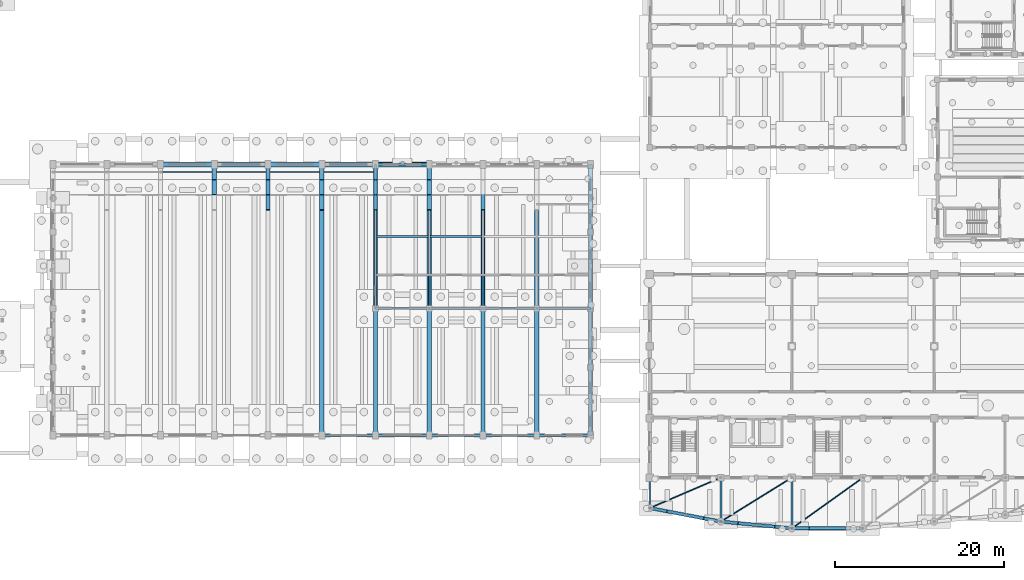
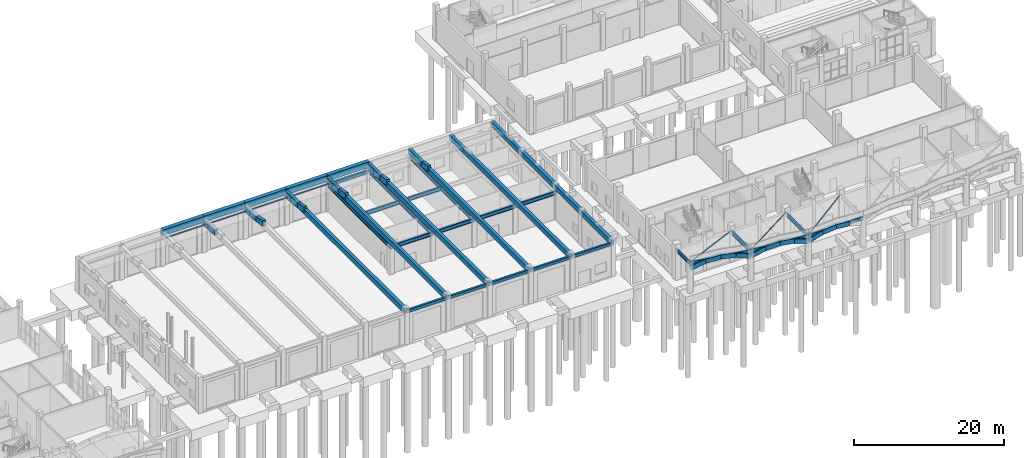
# One storey, part 17 of 60: 33 members, 32 beams.
"""IFC4 building model written with IfcOpenShell, lengths in metres."""

from ifc_helpers import new_model, si_unit, direction, frame, origin, origin_2d, place, context, subcontext, project, spatial, rectangle, hollow_rectangle, hollow_circle, i_section, extrude, material, material_profile, profile_set, type_object, element, save


model = new_model("IFC4")

# Units and contexts
model_context = context("Model", 3, precision=1e-05, world=origin(), true_north=direction((0.0, 1.0)))
body_context = subcontext(model_context, "Body", "Model", "MODEL_VIEW")
ifc_project = project(units=[si_unit("LENGTHUNIT", "METRE"), si_unit("AREAUNIT", "SQUARE_METRE"), si_unit("VOLUMEUNIT", "CUBIC_METRE"), si_unit("PLANEANGLEUNIT", "RADIAN"), si_unit("MASSUNIT", "GRAM", prefix="KILO")], contexts=[model_context])

# Site, building, storey
site_placement = place(None, origin())
site = spatial("IfcSite", under=ifc_project, at=site_placement, CompositionType="ELEMENT")
building_placement = place(site_placement, origin())
building = spatial("IfcBuilding", under=site, at=building_placement, Name="Trellovar Central Fire Station", CompositionType="ELEMENT")
storey_placement = place(building_placement, origin())
storey = spatial("IfcBuildingStorey", under=building, at=storey_placement, Name="L01", CompositionType="ELEMENT", Elevation=0.0)

# Beams
ifc_material_1 = material(Name="Concrete C40/50", Category="concrete")
ifc_material_profile_1 = material_profile(ifc_material_1, rectangle(XDim=0.300048828125, YDim=0.449951171875, at=origin_2d()), Name="RC300X450")
ifc_profile_set_1 = profile_set([ifc_material_profile_1], Name="Concrete C40/50")
beam_type_1 = type_object("IfcBeamType", Name="BM-LN1", PredefinedType="LINTEL", material=ifc_profile_set_1)
beam_1_placement = place(storey_placement, frame((66.75, 14.0, 5.125), z_axis=(1.0, 0.0, 0.0), x_axis=(0.0, 1.0, 0.0)))
element("IfcBeam", 1, at=beam_1_placement, inside=storey, type_object=beam_type_1, Name="South apparatus bay 6 header lintel", PredefinedType="LINTEL", context=body_context, shape_type="SweptSolid", body=[
    extrude(rectangle(XDim=0.300048828125, YDim=0.449951171875, at=origin_2d()), origin(), (0.0, 0.0, 1.0), 6.35009765625),
])
beam_2_placement = place(storey_placement, frame((73.10009765625, 14.0, 5.125), z_axis=(1.0, 0.0, 0.0), x_axis=(0.0, 1.0, 0.0)))
element("IfcBeam", 2, at=beam_2_placement, inside=storey, type_object=beam_type_1, Name="South apparatus bay 7 header lintel", PredefinedType="LINTEL", context=body_context, shape_type="SweptSolid", body=[
    extrude(rectangle(XDim=0.300048828125, YDim=0.449951171875, at=origin_2d()), origin(), (0.0, 0.0, 1.0), 6.349853515625),
])
beam_3_placement = place(storey_placement, frame((79.449951171875, 14.0, 5.125), z_axis=(1.0, 0.0, 0.0), x_axis=(0.0, 1.0, 0.0)))
element("IfcBeam", 3, at=beam_3_placement, inside=storey, type_object=beam_type_1, Name="South apparatus bay 8 header lintel", PredefinedType="LINTEL", context=body_context, shape_type="SweptSolid", body=[
    extrude(rectangle(XDim=0.300048828125, YDim=0.449951171875, at=origin_2d()), origin(), (0.0, 0.0, 1.0), 6.35009765625),
])
beam_4_placement = place(storey_placement, frame((85.800048828125, 14.0, 5.125), z_axis=(1.0, 0.0, 0.0), x_axis=(0.0, 1.0, 0.0)))
element("IfcBeam", 4, at=beam_4_placement, inside=storey, type_object=beam_type_1, Name="South apparatus bay 9 header lintel", PredefinedType="LINTEL", context=body_context, shape_type="SweptSolid", body=[
    extrude(rectangle(XDim=0.300048828125, YDim=0.449951171875, at=origin_2d()), origin(), (0.0, 0.0, 1.0), 6.349853515625),
])
beam_5_placement = place(storey_placement, frame((92.14990234375, 14.0, 5.125), z_axis=(1.0, 0.0, 0.0), x_axis=(0.0, 1.0, 0.0)))
element("IfcBeam", 5, at=beam_5_placement, inside=storey, type_object=beam_type_1, Name="South apparatus bay 10 header lintel", PredefinedType="LINTEL", context=body_context, shape_type="SweptSolid", body=[
    extrude(rectangle(XDim=0.300048828125, YDim=0.449951171875, at=origin_2d()), origin(), (0.0, 0.0, 1.0), 6.35009765625),
])
ifc_material_2 = material(Name="Concrete C40/50", Category="concrete")
ifc_material_profile_2 = material_profile(ifc_material_2, rectangle(XDim=0.60009765625, YDim=0.949951171875, at=origin_2d()), Name="RC600X950")
ifc_profile_set_2 = profile_set([ifc_material_profile_2], Name="Concrete C40/50")
beam_type_2 = type_object("IfcBeamType", Name="BM-RG2", PredefinedType="BEAM", material=ifc_profile_set_2)
beam_6_placement = place(storey_placement, frame((47.699951171875, 46.0, 5.324951171875), z_axis=(1.0, 0.0, 0.0), x_axis=(0.0, 1.0, 0.0)))
element("IfcBeam", 6, at=beam_6_placement, inside=storey, type_object=beam_type_2, Name="V1 north vault springing ring beam", PredefinedType="BEAM", context=body_context, shape_type="SweptSolid", body=[
    extrude(rectangle(XDim=0.60009765625, YDim=0.949951171875, at=origin_2d()), origin(), (0.0, 0.0, 1.0), 6.35009765625),
])
beam_7_placement = place(storey_placement, frame((54.050048828125, 46.0, 5.324951171875), z_axis=(1.0, 0.0, 0.0), x_axis=(0.0, 1.0, 0.0)))
element("IfcBeam", 7, at=beam_7_placement, inside=storey, type_object=beam_type_2, Name="V1 north vault springing ring beam", PredefinedType="BEAM", context=body_context, shape_type="SweptSolid", body=[
    extrude(rectangle(XDim=0.60009765625, YDim=0.949951171875, at=origin_2d()), origin(), (0.0, 0.0, 1.0), 6.349853515625),
])
for number, where, z_axis, x_axis, name in (
    (8, (60.39990234375, 46.0, 5.324951171875), (1.0, 0.0, 0.0), (0.0, 1.0, 0.0), "V1 north vault springing ring beam"),
    (9, (66.75, 46.0, 5.324951171875), (1.0, 0.0, 0.0), (0.0, 1.0, 0.0), "V1 north vault springing ring beam"),
):
    element("IfcBeam", number, at=place(storey_placement, frame(where, z_axis=z_axis, x_axis=x_axis)), inside=storey, type_object=beam_type_2, Name=name, PredefinedType="BEAM", context=body_context, shape_type="SweptSolid", body=[
        extrude(rectangle(XDim=0.60009765625, YDim=0.949951171875, at=origin_2d()), origin(), (0.0, 0.0, 1.0), 6.35009765625),
    ])
beam_8_placement = place(storey_placement, frame((73.10009765625, 46.0, 5.324951171875), z_axis=(1.0, 0.0, 0.0), x_axis=(0.0, 1.0, 0.0)))
element("IfcBeam", 10, at=beam_8_placement, inside=storey, type_object=beam_type_2, Name="V1 north vault springing ring beam", PredefinedType="BEAM", context=body_context, shape_type="SweptSolid", body=[
    extrude(rectangle(XDim=0.60009765625, YDim=0.949951171875, at=origin_2d()), origin(), (0.0, 0.0, 1.0), 6.349853515625),
])
ifc_material_3 = material(Name="Concrete C40/50", Category="concrete")
ifc_material_profile_3 = material_profile(ifc_material_3, rectangle(XDim=0.300048828125, YDim=0.550048828125, at=origin_2d()), Name="RC300X550")
ifc_profile_set_3 = profile_set([ifc_material_profile_3], Name="Concrete C40/50")
beam_type_3 = type_object("IfcBeamType", Name="BM-SP1", PredefinedType="SPANDREL", material=ifc_profile_set_3)
beam_9_placement = place(storey_placement, frame((73.10009765625, 46.0, 4.074951171875), z_axis=(1.0, 0.0, 0.0), x_axis=(0.0, 1.0, 0.0)))
element("IfcBeam", 11, at=beam_9_placement, inside=storey, type_object=beam_type_3, Name="V1 north tail window spandrel 1", PredefinedType="SPANDREL", context=body_context, shape_type="SweptSolid", body=[
    extrude(rectangle(XDim=0.300048828125, YDim=0.550048828125, at=origin_2d()), origin(), (0.0, 0.0, 1.0), 6.349853515625),
])
ifc_material_4 = material(Name="Steel ASTM A992 Grade 50", Category="steel")
ifc_material_profile_4 = material_profile(ifc_material_4, i_section(OverallWidth=0.22900390625, OverallDepth=0.612060546875, WebThickness=0.011962890625, FlangeThickness=0.01953125, FilletRadius=0.01513671875, at=origin_2d()), Name="W24X84")
ifc_profile_set_4 = profile_set([ifc_material_profile_4], Name="Steel ASTM A992 Grade 50")
beam_type_4 = type_object("IfcBeamType", Name="BM-SW5", PredefinedType="BEAM", material=ifc_profile_set_4)
for number, where, z_axis, x_axis, name in (
    (12, (73.10009765625, 29.0, 4.243896484375), (0.0, 1.0, 0.0), (-1.0, 0.0, 0.0), "V1 north tail transverse girder"),
    (13, (79.449951171875, 29.0, 4.243896484375), (0.0, 1.0, 0.0), (-1.0, 0.0, 0.0), "V1 north tail transverse girder"),
    (14, (85.800048828125, 29.0, 4.243896484375), (0.0, 1.0, 0.0), (-1.0, 0.0, 0.0), "V1 north tail transverse girder"),
):
    element("IfcBeam", number, at=place(storey_placement, frame(where, z_axis=z_axis, x_axis=x_axis)), inside=storey, type_object=beam_type_4, Name=name, PredefinedType="BEAM", context=body_context, shape_type="SweptSolid", body=[
        extrude(i_section(OverallWidth=0.22900390625, OverallDepth=0.612060546875, WebThickness=0.011962890625, FlangeThickness=0.01953125, FilletRadius=0.01513671875, at=origin_2d()), origin(), (0.0, 0.0, 1.0), 17.0),
    ])
beam_10_placement = place(storey_placement, frame((73.10009765625, 29.0, 4.243896484375), z_axis=(1.0, 0.0, 0.0), x_axis=(0.0, 1.0, 0.0)))
element("IfcBeam", 15, at=beam_10_placement, inside=storey, type_object=beam_type_4, Name="V1 north tail spine girder", PredefinedType="BEAM", context=body_context, shape_type="SweptSolid", body=[
    extrude(i_section(OverallWidth=0.22900390625, OverallDepth=0.612060546875, WebThickness=0.011962890625, FlangeThickness=0.01953125, FilletRadius=0.01513671875, at=origin_2d()), origin(), (0.0, 0.0, 1.0), 6.349853515625),
])
beam_11_placement = place(storey_placement, frame((79.449951171875, 29.0, 4.243896484375), z_axis=(1.0, 0.0, 0.0), x_axis=(0.0, 1.0, 0.0)))
element("IfcBeam", 16, at=beam_11_placement, inside=storey, type_object=beam_type_4, Name="V1 north tail spine girder", PredefinedType="BEAM", context=body_context, shape_type="SweptSolid", body=[
    extrude(i_section(OverallWidth=0.22900390625, OverallDepth=0.612060546875, WebThickness=0.011962890625, FlangeThickness=0.01953125, FilletRadius=0.01513671875, at=origin_2d()), origin(), (0.0, 0.0, 1.0), 6.35009765625),
])
beam_12_placement = place(storey_placement, frame((85.800048828125, 29.0, 4.243896484375), z_axis=(1.0, 0.0, 0.0), x_axis=(0.0, 1.0, 0.0)))
element("IfcBeam", 17, at=beam_12_placement, inside=storey, type_object=beam_type_4, Name="V1 north tail spine girder", PredefinedType="BEAM", context=body_context, shape_type="SweptSolid", body=[
    extrude(i_section(OverallWidth=0.22900390625, OverallDepth=0.612060546875, WebThickness=0.011962890625, FlangeThickness=0.01953125, FilletRadius=0.01513671875, at=origin_2d()), origin(), (0.0, 0.0, 1.0), 6.349853515625),
])
beam_13_placement = place(storey_placement, frame((92.14990234375, 29.0, 4.243896484375), z_axis=(1.0, 0.0, 0.0), x_axis=(0.0, 1.0, 0.0)))
element("IfcBeam", 18, at=beam_13_placement, inside=storey, type_object=beam_type_4, Name="V1 north tail spine girder", PredefinedType="BEAM", context=body_context, shape_type="SweptSolid", body=[
    extrude(i_section(OverallWidth=0.22900390625, OverallDepth=0.612060546875, WebThickness=0.011962890625, FlangeThickness=0.01953125, FilletRadius=0.01513671875, at=origin_2d()), origin(), (0.0, 0.0, 1.0), 6.35009765625),
])
beam_14_placement = place(storey_placement, frame((105.5, 5.39990234375, 4.64404296875), z_axis=(0.982341315253, -0.187097675953, 0.0), x_axis=(0.187097675953, 0.982341315253, 0.0)))
element("IfcBeam", 19, at=beam_14_placement, inside=storey, type_object=beam_type_4, Name="East concave boulevard girder 1", PredefinedType="BEAM", context=body_context, shape_type="SweptSolid", body=[
    extrude(i_section(OverallWidth=0.22900390625, OverallDepth=0.612060546875, WebThickness=0.011962890625, FlangeThickness=0.01953125, FilletRadius=0.01513671875, at=origin_2d()), origin(), (0.0, 0.0, 1.0), 8.55078125),
])
beam_15_placement = place(storey_placement, frame((113.89990234375, 3.800048828125, 4.64404296875), z_axis=(0.995495082479, -0.094813188749, 0.0), x_axis=(0.094813188749, 0.995495082479, 0.0)))
element("IfcBeam", 20, at=beam_15_placement, inside=storey, type_object=beam_type_4, Name="East concave boulevard girder 2", PredefinedType="BEAM", context=body_context, shape_type="SweptSolid", body=[
    extrude(i_section(OverallWidth=0.22900390625, OverallDepth=0.612060546875, WebThickness=0.011962890625, FlangeThickness=0.01953125, FilletRadius=0.01513671875, at=origin_2d()), origin(), (0.0, 0.0, 1.0), 8.438232421875),
])
beam_16_placement = place(storey_placement, frame((122.300048828125, 3.0, 4.64404296875), z_axis=(1.0, 0.0, 0.0), x_axis=(0.0, 1.0, 0.0)))
element("IfcBeam", 21, at=beam_16_placement, inside=storey, type_object=beam_type_4, Name="East concave boulevard girder 3", PredefinedType="BEAM", context=body_context, shape_type="SweptSolid", body=[
    extrude(i_section(OverallWidth=0.22900390625, OverallDepth=0.612060546875, WebThickness=0.011962890625, FlangeThickness=0.01953125, FilletRadius=0.01513671875, at=origin_2d()), origin(), (0.0, 0.0, 1.0), 8.39990234375),
])
ifc_material_5 = material(Name="Steel ASTM A992 Grade 50", Category="steel")
ifc_material_profile_5 = material_profile(ifc_material_5, i_section(OverallWidth=0.227783203125, OverallDepth=0.60205078125, WebThickness=0.010498046875, FlangeThickness=0.014892578125, FilletRadius=0.01513671875, at=origin_2d()), Name="W24X68")
ifc_profile_set_5 = profile_set([ifc_material_profile_5], Name="Steel ASTM A992 Grade 50")
beam_type_5 = type_object("IfcBeamType", Name="BM-SW6", PredefinedType="BEAM", material=ifc_profile_set_5)
beam_17_placement = place(storey_placement, frame((73.214599609375, 37.5, 4.2490234375), z_axis=(1.0, 0.0, 0.0), x_axis=(0.0, 1.0, 0.0)))
element("IfcBeam", 22, at=beam_17_placement, inside=storey, type_object=beam_type_5, Name="V1 north tail mid girder", PredefinedType="BEAM", context=body_context, shape_type="SweptSolid", body=[
    extrude(i_section(OverallWidth=0.227783203125, OverallDepth=0.60205078125, WebThickness=0.010498046875, FlangeThickness=0.014892578125, FilletRadius=0.01513671875, at=origin_2d()), origin(), (0.0, 0.0, 1.0), 6.120849609375),
])
beam_18_placement = place(storey_placement, frame((79.564453125, 37.5, 4.2490234375), z_axis=(1.0, 0.0, 0.0), x_axis=(0.0, 1.0, 0.0)))
element("IfcBeam", 23, at=beam_18_placement, inside=storey, type_object=beam_type_5, Name="V1 north tail mid girder", PredefinedType="BEAM", context=body_context, shape_type="SweptSolid", body=[
    extrude(i_section(OverallWidth=0.227783203125, OverallDepth=0.60205078125, WebThickness=0.010498046875, FlangeThickness=0.014892578125, FilletRadius=0.01513671875, at=origin_2d()), origin(), (0.0, 0.0, 1.0), 6.12109375),
])
beam_19_placement = place(storey_placement, frame((105.5, 5.39990234375, 4.64892578125), z_axis=(0.0, 1.0, 0.0), x_axis=(-1.0, 0.0, 0.0)))
element("IfcBeam", 24, at=beam_19_placement, inside=storey, type_object=beam_type_5, Name="East concave arcade radial tie X=105.5", PredefinedType="BEAM", context=body_context, shape_type="SweptSolid", body=[
    extrude(i_section(OverallWidth=0.227783203125, OverallDepth=0.60205078125, WebThickness=0.010498046875, FlangeThickness=0.014892578125, FilletRadius=0.01513671875, at=origin_2d()), origin(), (0.0, 0.0, 1.0), 3.60009765625),
])
beam_20_placement = place(storey_placement, frame((113.89990234375, 3.800048828125, 4.64892578125), z_axis=(0.0, 1.0, 0.0), x_axis=(-1.0, 0.0, 0.0)))
element("IfcBeam", 25, at=beam_20_placement, inside=storey, type_object=beam_type_5, Name="East concave arcade radial tie X=113.9", PredefinedType="BEAM", context=body_context, shape_type="SweptSolid", body=[
    extrude(i_section(OverallWidth=0.227783203125, OverallDepth=0.60205078125, WebThickness=0.010498046875, FlangeThickness=0.014892578125, FilletRadius=0.01513671875, at=origin_2d()), origin(), (0.0, 0.0, 1.0), 5.199951171875),
])
beam_21_placement = place(storey_placement, frame((122.300048828125, 3.0, 4.64892578125), z_axis=(0.0, 1.0, 0.0), x_axis=(-1.0, 0.0, 0.0)))
element("IfcBeam", 26, at=beam_21_placement, inside=storey, type_object=beam_type_5, Name="East concave arcade radial tie X=122.3", PredefinedType="BEAM", context=body_context, shape_type="SweptSolid", body=[
    extrude(i_section(OverallWidth=0.227783203125, OverallDepth=0.60205078125, WebThickness=0.010498046875, FlangeThickness=0.014892578125, FilletRadius=0.01513671875, at=origin_2d()), origin(), (0.0, 0.0, 1.0), 6.0),
])
ifc_material_6 = material(Name="Concrete C40/50", Category="concrete")
ifc_material_profile_6 = material_profile(ifc_material_6, rectangle(XDim=0.5, YDim=0.800048828125, at=origin_2d()), Name="RC500X800")
ifc_profile_set_6 = profile_set([ifc_material_profile_6], Name="Concrete C40/50")
beam_type_6 = type_object("IfcBeamType", Name="BM-VT1", PredefinedType="BEAM", material=ifc_profile_set_6)
for number, where, z_axis, x_axis, name in (
    (27, (66.75, 14.0, 5.25), (0.0, 1.0, 0.0), (-1.0, 0.0, 0.0), "Vault tension tie beam VT-1-06"),
    (28, (73.10009765625, 14.0, 5.25), (0.0, 1.0, 0.0), (-1.0, 0.0, 0.0), "Vault tension tie beam VT-1-07"),
    (29, (79.449951171875, 14.0, 5.25), (0.0, 1.0, 0.0), (-1.0, 0.0, 0.0), "Vault tension tie beam VT-1-08"),
    (30, (85.800048828125, 14.0, 5.25), (0.0, 1.0, 0.0), (-1.0, 0.0, 0.0), "Vault tension tie beam VT-1-09"),
    (31, (92.14990234375, 14.0, 5.25), (0.0, 1.0, 0.0), (-1.0, 0.0, 0.0), "Vault tension tie beam VT-1-10"),
    (32, (98.5, 14.0, 5.25), (0.0, 1.0, 0.0), (-1.0, 0.0, 0.0), "Vault tension tie beam VT-1-11"),
):
    element("IfcBeam", number, at=place(storey_placement, frame(where, z_axis=z_axis, x_axis=x_axis)), inside=storey, type_object=beam_type_6, Name=name, PredefinedType="BEAM", context=body_context, shape_type="SweptSolid", body=[
        extrude(rectangle(XDim=0.5, YDim=0.800048828125, at=origin_2d()), origin(), (0.0, 0.0, 1.0), 32.0),
    ])

# Members
ifc_material_7 = material(Name="Concrete C40/50", Category="concrete")
ifc_material_profile_7 = material_profile(ifc_material_7, rectangle(XDim=0.5, YDim=0.89990234375, at=origin_2d()), Name="RC500X900")
ifc_profile_set_7 = profile_set([ifc_material_profile_7], Name="Concrete C40/50")
member_type_1 = type_object("IfcMemberType", Name="MEM-AR1", PredefinedType="CHORD", material=ifc_profile_set_7)
member_1_placement = place(storey_placement, frame((73.10009765625, 40.6201171875, 5.548095703125), z_axis=(0.0, 0.983094207927, -0.183100459693), x_axis=(-1.0, 0.0, 0.0)))
element("IfcMember", 33, at=member_1_placement, inside=storey, type_object=member_type_1, Name="Parabolic arch rib AR-07 chord 16", PredefinedType="CHORD", context=body_context, shape_type="SweptSolid", body=[
    extrude(rectangle(XDim=0.5, YDim=0.89990234375, at=origin_2d()), origin(), (0.0, 0.0, 1.0), 1.823974609375),
])
member_2_placement = place(storey_placement, frame((73.10009765625, 42.413330078125, 5.214111328125), z_axis=(0.0, 0.993931492222, -0.110000858042), x_axis=(-1.0, 0.0, 0.0)))
element("IfcMember", 34, at=member_2_placement, inside=storey, type_object=member_type_1, Name="Parabolic arch rib AR-07 chord 17", PredefinedType="CHORD", context=body_context, shape_type="SweptSolid", body=[
    extrude(rectangle(XDim=0.5, YDim=0.89990234375, at=origin_2d()), origin(), (0.0, 0.0, 1.0), 1.804443359375),
])
member_3_placement = place(storey_placement, frame((73.10009765625, 44.206787109375, 5.015625), z_axis=(0.0, 0.999330031555, -0.036599016813), x_axis=(-1.0, 0.0, 0.0)))
element("IfcMember", 35, at=member_3_placement, inside=storey, type_object=member_type_1, Name="Parabolic arch rib AR-07 chord 18", PredefinedType="CHORD", context=body_context, shape_type="SweptSolid", body=[
    extrude(rectangle(XDim=0.5, YDim=0.89990234375, at=origin_2d()), origin(), (0.0, 0.0, 1.0), 1.79443359375),
])
ifc_material_8 = material(Name="Concrete C40/50", Category="concrete")
ifc_material_profile_8 = material_profile(ifc_material_8, rectangle(XDim=0.5, YDim=0.85009765625, at=origin_2d()), Name="RC500X850")
ifc_profile_set_8 = profile_set([ifc_material_profile_8], Name="Concrete C40/50")
member_type_2 = type_object("IfcMemberType", Name="MEM-AR2", PredefinedType="CHORD", material=ifc_profile_set_8)
member_4_placement = place(storey_placement, frame((54.050048828125, 42.413330078125, 5.214111328125), z_axis=(0.0, 0.993931492222, -0.110000858042), x_axis=(-1.0, 0.0, 0.0)))
element("IfcMember", 36, at=member_4_placement, inside=storey, type_object=member_type_2, Name="Parabolic arch rib AR-04 chord 17", PredefinedType="CHORD", context=body_context, shape_type="SweptSolid", body=[
    extrude(rectangle(XDim=0.5, YDim=0.85009765625, at=origin_2d()), origin(), (0.0, 0.0, 1.0), 1.804443359375),
])
member_5_placement = place(storey_placement, frame((54.050048828125, 44.206787109375, 5.015625), z_axis=(0.0, 0.999330031555, -0.036599016813), x_axis=(-1.0, 0.0, 0.0)))
element("IfcMember", 37, at=member_5_placement, inside=storey, type_object=member_type_2, Name="Parabolic arch rib AR-04 chord 18", PredefinedType="CHORD", context=body_context, shape_type="SweptSolid", body=[
    extrude(rectangle(XDim=0.5, YDim=0.85009765625, at=origin_2d()), origin(), (0.0, 0.0, 1.0), 1.79443359375),
])
member_6_placement = place(storey_placement, frame((60.39990234375, 40.6201171875, 5.548095703125), z_axis=(0.0, 0.983094207927, -0.183100459693), x_axis=(-1.0, 0.0, 0.0)))
element("IfcMember", 38, at=member_6_placement, inside=storey, type_object=member_type_2, Name="Parabolic arch rib AR-05 chord 16", PredefinedType="CHORD", context=body_context, shape_type="SweptSolid", body=[
    extrude(rectangle(XDim=0.5, YDim=0.85009765625, at=origin_2d()), origin(), (0.0, 0.0, 1.0), 1.823974609375),
])
member_7_placement = place(storey_placement, frame((60.39990234375, 42.413330078125, 5.214111328125), z_axis=(0.0, 0.993931492222, -0.110000858042), x_axis=(-1.0, 0.0, 0.0)))
element("IfcMember", 39, at=member_7_placement, inside=storey, type_object=member_type_2, Name="Parabolic arch rib AR-05 chord 17", PredefinedType="CHORD", context=body_context, shape_type="SweptSolid", body=[
    extrude(rectangle(XDim=0.5, YDim=0.85009765625, at=origin_2d()), origin(), (0.0, 0.0, 1.0), 1.804443359375),
])
member_8_placement = place(storey_placement, frame((60.39990234375, 44.206787109375, 5.015625), z_axis=(0.0, 0.999330031555, -0.036599016813), x_axis=(-1.0, 0.0, 0.0)))
element("IfcMember", 40, at=member_8_placement, inside=storey, type_object=member_type_2, Name="Parabolic arch rib AR-05 chord 18", PredefinedType="CHORD", context=body_context, shape_type="SweptSolid", body=[
    extrude(rectangle(XDim=0.5, YDim=0.85009765625, at=origin_2d()), origin(), (0.0, 0.0, 1.0), 1.79443359375),
])
member_9_placement = place(storey_placement, frame((66.75, 40.6201171875, 5.548095703125), z_axis=(0.0, 0.983094207927, -0.183100459693), x_axis=(-1.0, 0.0, 0.0)))
element("IfcMember", 41, at=member_9_placement, inside=storey, type_object=member_type_2, Name="Parabolic arch rib AR-06 chord 16", PredefinedType="CHORD", context=body_context, shape_type="SweptSolid", body=[
    extrude(rectangle(XDim=0.5, YDim=0.85009765625, at=origin_2d()), origin(), (0.0, 0.0, 1.0), 1.823974609375),
])
member_10_placement = place(storey_placement, frame((66.75, 42.413330078125, 5.214111328125), z_axis=(0.0, 0.993931492222, -0.110000858042), x_axis=(-1.0, 0.0, 0.0)))
element("IfcMember", 42, at=member_10_placement, inside=storey, type_object=member_type_2, Name="Parabolic arch rib AR-06 chord 17", PredefinedType="CHORD", context=body_context, shape_type="SweptSolid", body=[
    extrude(rectangle(XDim=0.5, YDim=0.85009765625, at=origin_2d()), origin(), (0.0, 0.0, 1.0), 1.804443359375),
])
member_11_placement = place(storey_placement, frame((66.75, 44.206787109375, 5.015625), z_axis=(0.0, 0.999330031555, -0.036599016813), x_axis=(-1.0, 0.0, 0.0)))
element("IfcMember", 43, at=member_11_placement, inside=storey, type_object=member_type_2, Name="Parabolic arch rib AR-06 chord 18", PredefinedType="CHORD", context=body_context, shape_type="SweptSolid", body=[
    extrude(rectangle(XDim=0.5, YDim=0.85009765625, at=origin_2d()), origin(), (0.0, 0.0, 1.0), 1.79443359375),
])
member_12_placement = place(storey_placement, frame((79.449951171875, 40.6201171875, 5.548095703125), z_axis=(0.0, 0.983094207927, -0.183100459693), x_axis=(-1.0, 0.0, 0.0)))
element("IfcMember", 44, at=member_12_placement, inside=storey, type_object=member_type_2, Name="Parabolic arch rib AR-08 chord 16", PredefinedType="CHORD", context=body_context, shape_type="SweptSolid", body=[
    extrude(rectangle(XDim=0.5, YDim=0.85009765625, at=origin_2d()), origin(), (0.0, 0.0, 1.0), 1.823974609375),
])
member_13_placement = place(storey_placement, frame((79.449951171875, 42.413330078125, 5.214111328125), z_axis=(0.0, 0.993931492222, -0.110000858042), x_axis=(-1.0, 0.0, 0.0)))
element("IfcMember", 45, at=member_13_placement, inside=storey, type_object=member_type_2, Name="Parabolic arch rib AR-08 chord 17", PredefinedType="CHORD", context=body_context, shape_type="SweptSolid", body=[
    extrude(rectangle(XDim=0.5, YDim=0.85009765625, at=origin_2d()), origin(), (0.0, 0.0, 1.0), 1.804443359375),
])
member_14_placement = place(storey_placement, frame((79.449951171875, 44.206787109375, 5.015625), z_axis=(0.0, 0.999330031555, -0.036599016813), x_axis=(-1.0, 0.0, 0.0)))
element("IfcMember", 46, at=member_14_placement, inside=storey, type_object=member_type_2, Name="Parabolic arch rib AR-08 chord 18", PredefinedType="CHORD", context=body_context, shape_type="SweptSolid", body=[
    extrude(rectangle(XDim=0.5, YDim=0.85009765625, at=origin_2d()), origin(), (0.0, 0.0, 1.0), 1.79443359375),
])
member_15_placement = place(storey_placement, frame((85.800048828125, 40.6201171875, 5.548095703125), z_axis=(0.0, 0.983094207927, -0.183100459693), x_axis=(-1.0, 0.0, 0.0)))
element("IfcMember", 47, at=member_15_placement, inside=storey, type_object=member_type_2, Name="Parabolic arch rib AR-09 chord 16", PredefinedType="CHORD", context=body_context, shape_type="SweptSolid", body=[
    extrude(rectangle(XDim=0.5, YDim=0.85009765625, at=origin_2d()), origin(), (0.0, 0.0, 1.0), 1.823974609375),
])
ifc_material_9 = material(Name="Concrete C40/50", Category="concrete")
ifc_material_profile_9 = material_profile(ifc_material_9, rectangle(XDim=0.39990234375, YDim=0.699951171875, at=origin_2d()), Name="RC400X700")
ifc_profile_set_9 = profile_set([ifc_material_profile_9], Name="Concrete C40/50")
member_type_3 = type_object("IfcMemberType", Name="MEM-LR1", PredefinedType="CHORD", material=ifc_profile_set_9)
member_16_placement = place(storey_placement, frame((105.5, 5.39990234375, 3.89990234375), z_axis=(0.94136104224, -0.179254753219, 0.285844575951), x_axis=(0.18705963059, 0.982348560646, 0.0)))
element("IfcMember", 48, at=member_16_placement, inside=storey, type_object=member_type_3, Name="East concave boulevard parabolic arch 1 seg 1", PredefinedType="CHORD", context=body_context, shape_type="SweptSolid", body=[
    extrude(rectangle(XDim=0.39990234375, YDim=0.699951171875, at=origin_2d()), origin(), (0.0, 0.0, 1.0), 2.23095703125),
])
member_17_placement = place(storey_placement, frame((107.60009765625, 5.0, 4.53759765625), z_axis=(0.977530624426, -0.18616383709, 0.098878228491), x_axis=(0.187080618042, 0.982344563966, 0.0)))
element("IfcMember", 49, at=member_17_placement, inside=storey, type_object=member_type_3, Name="East concave boulevard parabolic arch 1 seg 2", PredefinedType="CHORD", context=body_context, shape_type="SweptSolid", body=[
    extrude(rectangle(XDim=0.39990234375, YDim=0.699951171875, at=origin_2d()), origin(), (0.0, 0.0, 1.0), 2.148193359375),
])
member_18_placement = place(storey_placement, frame((109.699951171875, 4.60009765625, 4.75), z_axis=(0.977514989772, -0.186252856107, -0.098865152418), x_axis=(0.187169831069, 0.982327569774, 0.0)))
element("IfcMember", 50, at=member_18_placement, inside=storey, type_object=member_type_3, Name="East concave boulevard parabolic arch 1 seg 3", PredefinedType="CHORD", context=body_context, shape_type="SweptSolid", body=[
    extrude(rectangle(XDim=0.39990234375, YDim=0.699951171875, at=origin_2d()), origin(), (0.0, 0.0, 1.0), 2.1484375),
])
member_19_placement = place(storey_placement, frame((111.800048828125, 4.199951171875, 4.53759765625), z_axis=(0.941348582286, -0.179273221461, -0.285874025919), x_axis=(0.187080618042, 0.982344563966, 0.0)))
element("IfcMember", 51, at=member_19_placement, inside=storey, type_object=member_type_3, Name="East concave boulevard parabolic arch 1 seg 4", PredefinedType="CHORD", context=body_context, shape_type="SweptSolid", body=[
    extrude(rectangle(XDim=0.39990234375, YDim=0.699951171875, at=origin_2d()), origin(), (0.0, 0.0, 1.0), 2.230712890625),
])
member_20_placement = place(storey_placement, frame((113.89990234375, 3.800048828125, 3.89990234375), z_axis=(0.952913290628, -0.090727270986, 0.2893524198), x_axis=(0.094781785826, 0.995498072864, 0.0)))
element("IfcMember", 52, at=member_20_placement, inside=storey, type_object=member_type_3, Name="East concave boulevard parabolic arch 2 seg 1", PredefinedType="CHORD", context=body_context, shape_type="SweptSolid", body=[
    extrude(rectangle(XDim=0.39990234375, YDim=0.699951171875, at=origin_2d()), origin(), (0.0, 0.0, 1.0), 2.203857421875),
])
member_21_placement = place(storey_placement, frame((116.0, 3.60009765625, 4.53759765625), z_axis=(0.990479542496, -0.094419114723, 0.100176377816), x_axis=(0.094896472956, 0.995487146788, 0.0)))
element("IfcMember", 53, at=member_21_placement, inside=storey, type_object=member_type_3, Name="East concave boulevard parabolic arch 2 seg 2", PredefinedType="CHORD", context=body_context, shape_type="SweptSolid", body=[
    extrude(rectangle(XDim=0.39990234375, YDim=0.699951171875, at=origin_2d()), origin(), (0.0, 0.0, 1.0), 2.120361328125),
])
member_22_placement = place(storey_placement, frame((118.10009765625, 3.39990234375, 4.75), z_axis=(0.990488124537, -0.094315750959, -0.10018889296), x_axis=(0.094792706668, 0.995497033026, 0.0)))
element("IfcMember", 54, at=member_22_placement, inside=storey, type_object=member_type_3, Name="East concave boulevard parabolic arch 2 seg 3", PredefinedType="CHORD", context=body_context, shape_type="SweptSolid", body=[
    extrude(rectangle(XDim=0.39990234375, YDim=0.699951171875, at=origin_2d()), origin(), (0.0, 0.0, 1.0), 2.1201171875),
])
member_23_placement = place(storey_placement, frame((120.199951171875, 3.199951171875, 4.53759765625), z_axis=(0.952913290628, -0.090727270986, -0.2893524198), x_axis=(0.094781785826, 0.995498072864, 0.0)))
element("IfcMember", 55, at=member_23_placement, inside=storey, type_object=member_type_3, Name="East concave boulevard parabolic arch 2 seg 4", PredefinedType="CHORD", context=body_context, shape_type="SweptSolid", body=[
    extrude(rectangle(XDim=0.39990234375, YDim=0.699951171875, at=origin_2d()), origin(), (0.0, 0.0, 1.0), 2.203857421875),
])
member_24_placement = place(storey_placement, frame((122.300048828125, 3.0, 3.89990234375), z_axis=(0.956850201326, 0.0, 0.290581644677), x_axis=(0.0, 1.0, 0.0)))
element("IfcMember", 56, at=member_24_placement, inside=storey, type_object=member_type_3, Name="East concave boulevard parabolic arch 3 seg 1", PredefinedType="CHORD", context=body_context, shape_type="SweptSolid", body=[
    extrude(rectangle(XDim=0.39990234375, YDim=0.699951171875, at=origin_2d()), origin(), (0.0, 0.0, 1.0), 2.194580078125),
])
for number, where, z_axis, x_axis, name in (
    (57, (124.39990234375, 3.0, 4.53759765625), (0.994924330857, 0.0, 0.100625920466), (0.0, 1.0, 0.0), "East concave boulevard parabolic arch 3 seg 2"),
    (58, (126.5, 3.0, 4.75), (0.994924330857, 0.0, -0.100625920466), (0.0, 1.0, 0.0), "East concave boulevard parabolic arch 3 seg 3"),
):
    element("IfcMember", number, at=place(storey_placement, frame(where, z_axis=z_axis, x_axis=x_axis)), inside=storey, type_object=member_type_3, Name=name, PredefinedType="CHORD", context=body_context, shape_type="SweptSolid", body=[
        extrude(rectangle(XDim=0.39990234375, YDim=0.699951171875, at=origin_2d()), origin(), (0.0, 0.0, 1.0), 2.11083984375),
    ])
ifc_material_10 = material(Name="Steel ASTM A500 Grade C", Category="steel")
ifc_material_profile_10 = material_profile(ifc_material_10, hollow_rectangle(XDim=0.1015625, YDim=0.203125, WallThickness=0.0087890625, InnerFilletRadius=0.0087890625, OuterFilletRadius=0.017822265625, at=origin_2d()), Name="HSS8X4X3/8")
ifc_profile_set_10 = profile_set([ifc_material_profile_10], Name="Steel ASTM A500 Grade C")
member_type_4 = type_object("IfcMemberType", Name="MEM-PU1", PredefinedType="PURLIN", material=ifc_profile_set_10)
member_25_placement = place(storey_placement, frame((47.699951171875, 45.103271484375, 4.892822265625), z_axis=(1.0, 0.0, 0.0), x_axis=(0.0, 1.0, 0.0)))
element("IfcMember", 59, at=member_25_placement, inside=storey, type_object=member_type_4, Name="Vault purlin V1-03-18", PredefinedType="PURLIN", context=body_context, shape_type="SweptSolid", body=[
    extrude(hollow_rectangle(XDim=0.1015625, YDim=0.203125, WallThickness=0.0087890625, InnerFilletRadius=0.0087890625, OuterFilletRadius=0.017822265625, at=origin_2d()), origin(), (0.0, 0.0, 1.0), 6.35009765625),
])
member_26_placement = place(storey_placement, frame((54.050048828125, 45.103271484375, 4.892822265625), z_axis=(1.0, 0.0, 0.0), x_axis=(0.0, 1.0, 0.0)))
element("IfcMember", 60, at=member_26_placement, inside=storey, type_object=member_type_4, Name="Vault purlin V1-04-18", PredefinedType="PURLIN", context=body_context, shape_type="SweptSolid", body=[
    extrude(hollow_rectangle(XDim=0.1015625, YDim=0.203125, WallThickness=0.0087890625, InnerFilletRadius=0.0087890625, OuterFilletRadius=0.017822265625, at=origin_2d()), origin(), (0.0, 0.0, 1.0), 6.349853515625),
])
for number, where, z_axis, x_axis, name in (
    (61, (60.39990234375, 45.103271484375, 4.892822265625), (1.0, 0.0, 0.0), (0.0, 1.0, 0.0), "Vault purlin V1-05-18"),
    (62, (66.75, 45.103271484375, 4.892822265625), (1.0, 0.0, 0.0), (0.0, 1.0, 0.0), "Vault purlin V1-06-18"),
):
    element("IfcMember", number, at=place(storey_placement, frame(where, z_axis=z_axis, x_axis=x_axis)), inside=storey, type_object=member_type_4, Name=name, PredefinedType="PURLIN", context=body_context, shape_type="SweptSolid", body=[
        extrude(hollow_rectangle(XDim=0.1015625, YDim=0.203125, WallThickness=0.0087890625, InnerFilletRadius=0.0087890625, OuterFilletRadius=0.017822265625, at=origin_2d()), origin(), (0.0, 0.0, 1.0), 6.35009765625),
    ])
ifc_material_11 = material(Name="Steel ASTM A500 Grade C", Category="steel")
ifc_material_profile_11 = material_profile(ifc_material_11, hollow_circle(Radius=0.084228515625, WallThickness=0.00732421875, at=origin_2d()), Name="HSS6.625X0.312")
ifc_profile_set_11 = profile_set([ifc_material_profile_11], Name="Steel ASTM A500 Grade C")
member_type_5 = type_object("IfcMemberType", Name="MEM-ST3", PredefinedType="STRUT", material=ifc_profile_set_11)
member_27_placement = place(storey_placement, frame((105.5, 5.39990234375, 4.800048828125), z_axis=(0.919139502787, 0.393932195201, 0.0), x_axis=(-0.393932195201, 0.919139502787, 0.0)))
element("IfcMember", 63, at=member_27_placement, inside=storey, type_object=member_type_5, Name="East boulevard canopy diagonal strut 1", PredefinedType="STRUT", context=body_context, shape_type="SweptSolid", body=[
    extrude(hollow_circle(Radius=0.084228515625, WallThickness=0.00732421875, at=origin_2d()), origin(), (0.0, 0.0, 1.0), 9.138916015625),
])
member_28_placement = place(storey_placement, frame((113.89990234375, 3.800048828125, 4.800048828125), z_axis=(0.850271466459, 0.526344405618, 0.0), x_axis=(-0.526344405618, 0.850271466459, 0.0)))
element("IfcMember", 64, at=member_28_placement, inside=storey, type_object=member_type_5, Name="East boulevard canopy diagonal strut 2", PredefinedType="STRUT", context=body_context, shape_type="SweptSolid", body=[
    extrude(hollow_circle(Radius=0.084228515625, WallThickness=0.00732421875, at=origin_2d()), origin(), (0.0, 0.0, 1.0), 9.87939453125),
])
member_29_placement = place(storey_placement, frame((122.300048828125, 3.0, 4.800048828125), z_axis=(0.813730275137, 0.581242668191, 0.0), x_axis=(-0.581242668191, 0.813730275137, 0.0)))
element("IfcMember", 65, at=member_29_placement, inside=storey, type_object=member_type_5, Name="East boulevard canopy diagonal strut 3", PredefinedType="STRUT", context=body_context, shape_type="SweptSolid", body=[
    extrude(hollow_circle(Radius=0.084228515625, WallThickness=0.00732421875, at=origin_2d()), origin(), (0.0, 0.0, 1.0), 10.32275390625),
])

save(model, "model.ifc")
